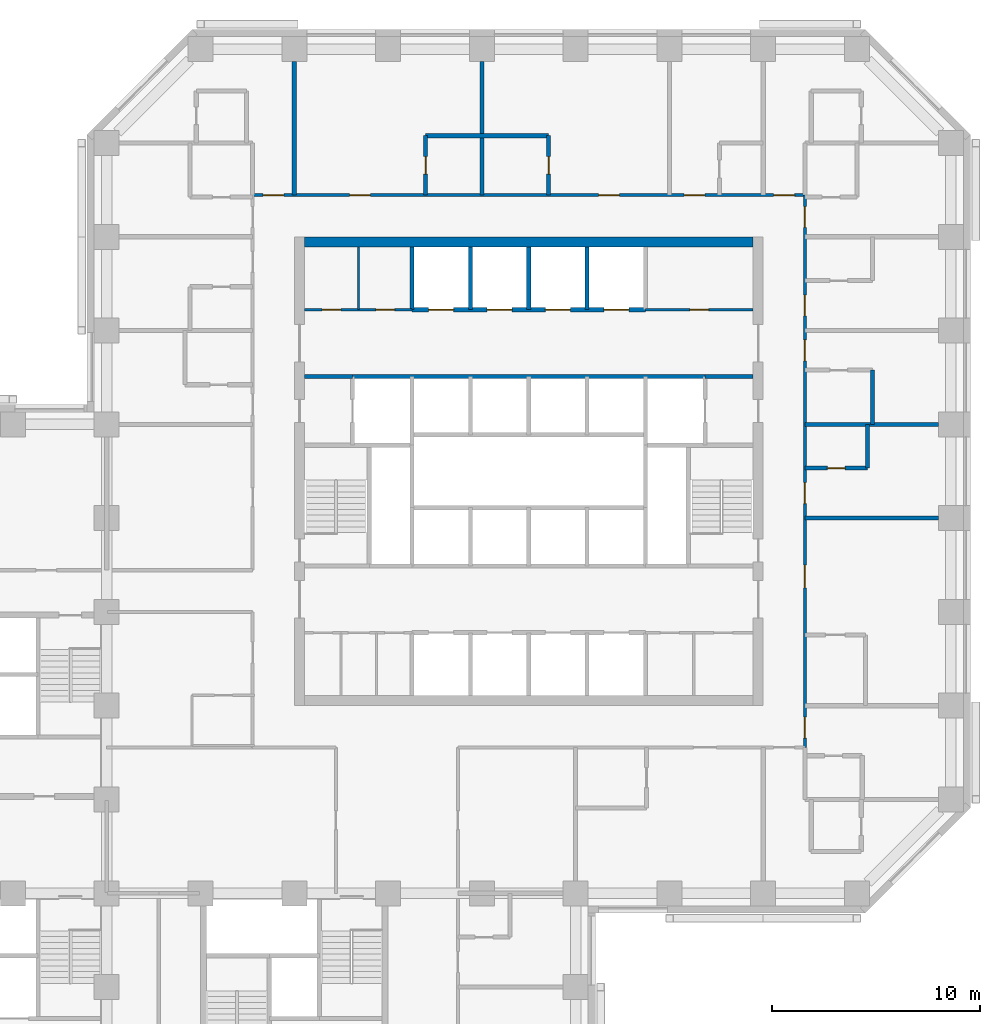
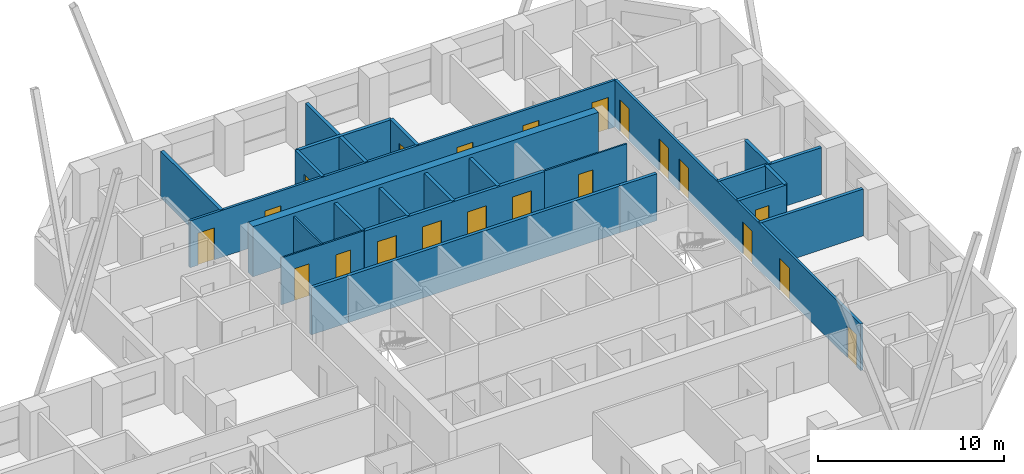
# One storey, part 10 of 13: 24 walls, 21 doors, 21 openings.
"""IFC4 building model written with IfcOpenShell, lengths in metres."""

from ifc_helpers import new_model, si_unit, direction, frame, frame_2d, origin, place, context, subcontext, project, spatial, rectangle, extrude, material, layer, layer_set, type_object, element, fill, save


model = new_model("IFC4")

# Units and contexts
model_context = context("Model", 3, precision=1e-05, world=origin(), true_north=direction((0.0, 1.0)))
body_context = subcontext(model_context, "Body", "Model", "MODEL_VIEW")
ifc_project = project(units=[si_unit("LENGTHUNIT", "METRE"), si_unit("AREAUNIT", "SQUARE_METRE"), si_unit("VOLUMEUNIT", "CUBIC_METRE"), si_unit("PLANEANGLEUNIT", "RADIAN"), si_unit("MASSUNIT", "GRAM", prefix="KILO")], contexts=[model_context])

# Site, building, storey
site_placement = place(None, origin())
site = spatial("IfcSite", under=ifc_project, at=site_placement, CompositionType="ELEMENT")
building_placement = place(site_placement, origin())
building = spatial("IfcBuilding", under=site, at=building_placement, Name="Quoin Convention Tower", CompositionType="ELEMENT")
storey_placement = place(building_placement, frame((0.0, 0.0, 52.800048828125)))
storey = spatial("IfcBuildingStorey", under=building, at=storey_placement, Name="L13", CompositionType="ELEMENT", Elevation=52.800048828125)

# Wall, openings, doors
ifc_material_1 = material(Name="Plasterboard")
ifc_layer_1 = layer(ifc_material_1, 0.012451171875, Name="Finish")
ifc_material_2 = material(Name="Steel stud framing", Category="steel")
ifc_layer_2 = layer(ifc_material_2, 0.074951171875, Name="Structure")
ifc_layer_3 = layer(ifc_material_1, 0.012451171875, Name="Finish")
ifc_layer_set_1 = layer_set([ifc_layer_1, ifc_layer_2, ifc_layer_3], Name="Steel stud framing")
wall_type_1 = type_object("IfcWallType", Name="Core partition wall", PredefinedType="PARTITIONING", material=ifc_layer_set_1)
wall_1_placement = place(storey_placement, frame((45.5, 68.5, 0.0), z_axis=(0.0, 0.0, 1.0), x_axis=(1.0, 0.0, 0.0)))
wall_1 = element("IfcWall", 1, at=wall_1_placement, inside=storey, type_object=wall_type_1, Name="cr-C1-L13-h19000_500", PredefinedType="PARTITIONING", context=body_context, shape_type="SweptSolid", body=[
    extrude(rectangle(XDim=5.14990234375, YDim=0.10009765625, at=frame_2d((2.574951171875, 0.0))), origin(), (0.0, 0.0, 1.0), 3.079833984375),
])
opening_1_placement = place(wall_1_placement, frame((0.83740234375, 0.0, 0.0)))
opening_1 = element("IfcOpeningElement", 2, at=opening_1_placement, cuts=wall_1, Name="Opening DCV5-18", PredefinedType="OPENING", context=body_context, shape_type="SweptSolid", body=[
    extrude(rectangle(XDim=0.89990234375, YDim=2.10009765625, at=frame_2d((0.449951171875, 1.050048828125))), frame((0.0, 0.06005859375, 0.0), z_axis=(0.0, -1.0, 0.0), x_axis=(1.0, 0.0, 0.0)), (0.0, 0.0, 1.0), 0.1201171875),
])
opening_2_placement = place(wall_1_placement, frame((3.41259765625, 0.0, 0.0)))
opening_2 = element("IfcOpeningElement", 3, at=opening_2_placement, cuts=wall_1, Name="Opening DCV5-19", PredefinedType="OPENING", context=body_context, shape_type="SweptSolid", body=[
    extrude(rectangle(XDim=0.89990234375, YDim=2.10009765625, at=frame_2d((0.449951171875, 1.050048828125))), frame((0.0, 0.06005859375, 0.0), z_axis=(0.0, -1.0, 0.0), x_axis=(1.0, 0.0, 0.0)), (0.0, 0.0, 1.0), 0.1201171875),
])
ifc_material_3 = material(Name="Steel door leaf", Category="steel")
door_type_1 = type_object("IfcDoorType", Name="Core room door 900 x 2100", OperationType="SINGLE_SWING_LEFT", PredefinedType="DOOR", material=ifc_material_3)
door_1_placement = place(opening_1_placement, origin())
door_1 = element("IfcDoor", 4, at=door_1_placement, inside=storey, type_object=door_type_1, Name="cd-C1-L13-CNW0-lobB-CD1308", OperationType="SINGLE_SWING_RIGHT", OverallHeight=2.10009765625, OverallWidth=0.89990234375, PredefinedType="DOOR", context=body_context, shape_type="SweptSolid", body=[
    extrude(rectangle(XDim=0.89990234375, YDim=2.10009765625, at=frame_2d((0.449951171875, 1.050048828125))), frame((0.0, 0.02490234375, 0.0), z_axis=(0.0, -1.0, 0.0), x_axis=(1.0, 0.0, 0.0)), (0.0, 0.0, 1.0), 0.050048828125),
])
fill(opening_1, door_1)
door_2_placement = place(opening_2_placement, origin())
door_2 = element("IfcDoor", 5, at=door_2_placement, inside=storey, type_object=door_type_1, Name="cd-C1-L13-CNW1-lobB-CD1309", OperationType="SINGLE_SWING_RIGHT", OverallHeight=2.10009765625, OverallWidth=0.89990234375, PredefinedType="DOOR", context=body_context, shape_type="SweptSolid", body=[
    extrude(rectangle(XDim=0.89990234375, YDim=2.10009765625, at=frame_2d((0.449951171875, 1.050048828125))), frame((0.0, 0.02490234375, 0.0), z_axis=(0.0, -1.0, 0.0), x_axis=(1.0, 0.0, 0.0)), (0.0, 0.0, 1.0), 0.050048828125),
])
fill(opening_2, door_2)

# Wall, opening, door
wall_2_placement = place(storey_placement, frame((61.85009765625, 68.5, 0.0), z_axis=(0.0, 0.0, 1.0), x_axis=(1.0, 0.0, 0.0)))
wall_2 = element("IfcWall", 6, at=wall_2_placement, inside=storey, type_object=wall_type_1, Name="cr-C1-L13-h19000_16850", PredefinedType="PARTITIONING", context=body_context, shape_type="SweptSolid", body=[
    extrude(rectangle(XDim=5.14990234375, YDim=0.10009765625, at=frame_2d((2.574951171875, 0.0))), origin(), (0.0, 0.0, 1.0), 3.079833984375),
])
opening_3_placement = place(wall_2_placement, frame((2.125, 0.0, 0.0)))
opening_3 = element("IfcOpeningElement", 7, at=opening_3_placement, cuts=wall_2, Name="Opening DCV5-01", PredefinedType="OPENING", context=body_context, shape_type="SweptSolid", body=[
    extrude(rectangle(XDim=0.89990234375, YDim=2.10009765625, at=frame_2d((0.449951171875, 1.050048828125))), frame((0.0, 0.06005859375, 0.0), z_axis=(0.0, -1.0, 0.0), x_axis=(1.0, 0.0, 0.0)), (0.0, 0.0, 1.0), 0.1201171875),
])
door_3_placement = place(opening_3_placement, origin())
door_3 = element("IfcDoor", 8, at=door_3_placement, inside=storey, type_object=door_type_1, Name="cd-C1-L13-CNE0-lobB-CD1307", OperationType="SINGLE_SWING_LEFT", OverallHeight=2.10009765625, OverallWidth=0.89990234375, PredefinedType="DOOR", context=body_context, shape_type="SweptSolid", body=[
    extrude(rectangle(XDim=0.89990234375, YDim=2.10009765625, at=frame_2d((0.449951171875, 1.050048828125))), frame((0.0, 0.02490234375, 0.0), z_axis=(0.0, -1.0, 0.0), x_axis=(1.0, 0.0, 0.0)), (0.0, 0.0, 1.0), 0.050048828125),
])
fill(opening_3, door_3)

# Walls
wall_3_placement = place(storey_placement, frame((48.074951171875, 68.5, 0.0), z_axis=(0.0, 0.0, 1.0), x_axis=(0.0, 1.0, 0.0)))
element("IfcWall", 9, at=wall_3_placement, inside=storey, type_object=wall_type_1, Name="cr-C1-L13-v3075_19000", PredefinedType="PARTITIONING", context=body_context, shape_type="SweptSolid", body=[
    extrude(rectangle(XDim=3.0, YDim=0.10009765625, at=frame_2d((1.5, 0.0))), origin(), (0.0, 0.0, 1.0), 3.079833984375),
])
ifc_material_4 = material(Name="Concrete C50", Category="concrete")
ifc_layer_4 = layer(ifc_material_4, 0.199951171875)
ifc_layer_set_2 = layer_set([ifc_layer_4], Name="Concrete C50")
wall_type_2 = type_object("IfcWallType", Name="Core shaft wall", PredefinedType="SOLIDWALL", material=ifc_layer_set_2)
for number, where, z_axis, x_axis, name in (
    (10, (45.5, 65.300048828125, 0.0), (0.0, 0.0, 1.0), (1.0, 0.0, 0.0), "cr-C1-L13-h15800_500"),
    (11, (64.699951171875, 65.300048828125, 0.0), (0.0, 0.0, 1.0), (1.0, 0.0, 0.0), "cr-C1-L13-h15800_19700"),
):
    element("IfcWall", number, at=place(storey_placement, frame(where, z_axis=z_axis, x_axis=x_axis)), inside=storey, type_object=wall_type_2, Name=name, PredefinedType="SOLIDWALL", context=body_context, shape_type="SweptSolid", body=[
        extrude(rectangle(XDim=2.300048828125, YDim=0.199951171875, at=frame_2d((1.14990234375, 0.0))), origin(), (0.0, 0.0, 1.0), 3.079833984375),
    ])
wall_4_placement = place(storey_placement, frame((47.800048828125, 65.300048828125, 0.0), z_axis=(0.0, 0.0, 1.0), x_axis=(1.0, 0.0, 0.0)))
element("IfcWall", 12, at=wall_4_placement, inside=storey, type_object=wall_type_2, Name="cr-C1-L13-h15800_2800", PredefinedType="SOLIDWALL", context=body_context, shape_type="SweptSolid", body=[
    extrude(rectangle(XDim=16.89990234375, YDim=0.199951171875, at=frame_2d((8.449951171875, 0.0))), origin(), (0.0, 0.0, 1.0), 3.079833984375),
])

# Wall, openings, doors
wall_5_placement = place(storey_placement, frame((50.64990234375, 68.5, 0.0), z_axis=(0.0, 0.0, 1.0), x_axis=(1.0, 0.0, 0.0)))
wall_5 = element("IfcWall", 13, at=wall_5_placement, inside=storey, type_object=wall_type_2, Name="cr-C1-L13-h19000_5650", PredefinedType="SOLIDWALL", context=body_context, shape_type="SweptSolid", body=[
    extrude(rectangle(XDim=11.2001953125, YDim=0.199951171875, at=frame_2d((5.60009765625, 0.0))), origin(), (0.0, 0.0, 1.0), 3.079833984375),
])
opening_4_placement = place(wall_5_placement, frame((0.800048828125, 0.0, 0.0)))
opening_4 = element("IfcOpeningElement", 14, at=opening_4_placement, cuts=wall_5, Name="Opening LDL5", PredefinedType="OPENING", context=body_context, shape_type="SweptSolid", body=[
    extrude(rectangle(XDim=1.199951171875, YDim=2.10009765625, at=frame_2d((0.60009765625, 1.050048828125))), frame((0.0, 0.10986328125, 0.0), z_axis=(0.0, -1.0, 0.0), x_axis=(1.0, 0.0, 0.0)), (0.0, 0.0, 1.0), 0.219970703125),
])
opening_5_placement = place(wall_5_placement, frame((3.60009765625, 0.0, 0.0)))
opening_5 = element("IfcOpeningElement", 15, at=opening_5_placement, cuts=wall_5, Name="Opening LDL6", PredefinedType="OPENING", context=body_context, shape_type="SweptSolid", body=[
    extrude(rectangle(XDim=1.199951171875, YDim=2.10009765625, at=frame_2d((0.60009765625, 1.050048828125))), frame((0.0, 0.10986328125, 0.0), z_axis=(0.0, -1.0, 0.0), x_axis=(1.0, 0.0, 0.0)), (0.0, 0.0, 1.0), 0.219970703125),
])
opening_6_placement = place(wall_5_placement, frame((6.39990234375, 0.0, 0.0)))
opening_6 = element("IfcOpeningElement", 16, at=opening_6_placement, cuts=wall_5, Name="Opening LDL7", PredefinedType="OPENING", context=body_context, shape_type="SweptSolid", body=[
    extrude(rectangle(XDim=1.199951171875, YDim=2.10009765625, at=frame_2d((0.60009765625, 1.050048828125))), frame((0.0, 0.10986328125, 0.0), z_axis=(0.0, -1.0, 0.0), x_axis=(1.0, 0.0, 0.0)), (0.0, 0.0, 1.0), 0.219970703125),
])
opening_7_placement = place(wall_5_placement, frame((9.199951171875, 0.0, 0.0)))
opening_7 = element("IfcOpeningElement", 17, at=opening_7_placement, cuts=wall_5, Name="Opening LDL8", PredefinedType="OPENING", context=body_context, shape_type="SweptSolid", body=[
    extrude(rectangle(XDim=1.199951171875, YDim=2.10009765625, at=frame_2d((0.60009765625, 1.050048828125))), frame((0.0, 0.10986328125, 0.0), z_axis=(0.0, -1.0, 0.0), x_axis=(1.0, 0.0, 0.0)), (0.0, 0.0, 1.0), 0.219970703125),
])
door_type_2 = type_object("IfcDoorType", Name="Lift landing door 1200 x 2100", OperationType="DOUBLE_DOOR_SLIDING", PredefinedType="DOOR", material=ifc_material_3)
door_4_placement = place(opening_4_placement, origin())
door_4 = element("IfcDoor", 18, at=door_4_placement, inside=storey, type_object=door_type_2, Name="cd-C1-L13-R40-lobB-LDL5", OperationType="DOUBLE_DOOR_SLIDING", OverallHeight=2.10009765625, OverallWidth=1.199951171875, PredefinedType="DOOR", context=body_context, shape_type="SweptSolid", body=[
    extrude(rectangle(XDim=1.199951171875, YDim=2.10009765625, at=frame_2d((0.60009765625, 1.050048828125))), frame((0.0, 0.02490234375, 0.0), z_axis=(0.0, -1.0, 0.0), x_axis=(1.0, 0.0, 0.0)), (0.0, 0.0, 1.0), 0.050048828125),
])
fill(opening_4, door_4)
door_5_placement = place(opening_5_placement, origin())
door_5 = element("IfcDoor", 19, at=door_5_placement, inside=storey, type_object=door_type_2, Name="cd-C1-L13-R41-lobB-LDL6", OperationType="DOUBLE_DOOR_SLIDING", OverallHeight=2.10009765625, OverallWidth=1.199951171875, PredefinedType="DOOR", context=body_context, shape_type="SweptSolid", body=[
    extrude(rectangle(XDim=1.199951171875, YDim=2.10009765625, at=frame_2d((0.60009765625, 1.050048828125))), frame((0.0, 0.02490234375, 0.0), z_axis=(0.0, -1.0, 0.0), x_axis=(1.0, 0.0, 0.0)), (0.0, 0.0, 1.0), 0.050048828125),
])
fill(opening_5, door_5)
door_6_placement = place(opening_6_placement, origin())
door_6 = element("IfcDoor", 20, at=door_6_placement, inside=storey, type_object=door_type_2, Name="cd-C1-L13-R42-lobB-LDL7", OperationType="DOUBLE_DOOR_SLIDING", OverallHeight=2.10009765625, OverallWidth=1.199951171875, PredefinedType="DOOR", context=body_context, shape_type="SweptSolid", body=[
    extrude(rectangle(XDim=1.199951171875, YDim=2.10009765625, at=frame_2d((0.60009765625, 1.050048828125))), frame((0.0, 0.02490234375, 0.0), z_axis=(0.0, -1.0, 0.0), x_axis=(1.0, 0.0, 0.0)), (0.0, 0.0, 1.0), 0.050048828125),
])
fill(opening_6, door_6)
door_7_placement = place(opening_7_placement, origin())
door_7 = element("IfcDoor", 21, at=door_7_placement, inside=storey, type_object=door_type_2, Name="cd-C1-L13-R43-lobB-LDL8", OperationType="DOUBLE_DOOR_SLIDING", OverallHeight=2.10009765625, OverallWidth=1.199951171875, PredefinedType="DOOR", context=body_context, shape_type="SweptSolid", body=[
    extrude(rectangle(XDim=1.199951171875, YDim=2.10009765625, at=frame_2d((0.60009765625, 1.050048828125))), frame((0.0, 0.02490234375, 0.0), z_axis=(0.0, -1.0, 0.0), x_axis=(1.0, 0.0, 0.0)), (0.0, 0.0, 1.0), 0.050048828125),
])
fill(opening_7, door_7)

# Walls
for number, where, z_axis, x_axis, name in (
    (22, (50.64990234375, 68.5, 0.0), (0.0, 0.0, 1.0), (0.0, 1.0, 0.0), "cr-C1-L13-v5650_19000"),
    (23, (53.449951171875, 68.5, 0.0), (0.0, 0.0, 1.0), (0.0, 1.0, 0.0), "cr-C1-L13-v8450_19000"),
    (24, (56.25, 68.5, 0.0), (0.0, 0.0, 1.0), (0.0, 1.0, 0.0), "cr-C1-L13-v11250_19000"),
    (25, (59.050048828125, 68.5, 0.0), (0.0, 0.0, 1.0), (0.0, 1.0, 0.0), "cr-C1-L13-v14050_19000"),
):
    element("IfcWall", number, at=place(storey_placement, frame(where, z_axis=z_axis, x_axis=x_axis)), inside=storey, type_object=wall_type_2, Name=name, PredefinedType="SOLIDWALL", context=body_context, shape_type="SweptSolid", body=[
        extrude(rectangle(XDim=3.0, YDim=0.199951171875, at=frame_2d((1.5, 0.0))), origin(), (0.0, 0.0, 1.0), 3.079833984375),
    ])
ifc_material_5 = material(Name="Concrete C80", Category="concrete")
ifc_layer_5 = layer(ifc_material_5, 0.5)
ifc_layer_set_3 = layer_set([ifc_layer_5], Name="Concrete C80")
wall_type_3 = type_object("IfcWallType", Name="RC CORE WALL 500 C80", PredefinedType="SHEAR", material=ifc_layer_set_3)
wall_6_placement = place(storey_placement, frame((45.5, 71.75, 0.0), z_axis=(0.0, 0.0, 1.0), x_axis=(1.0, 0.0, 0.0)))
element("IfcWall", 26, at=wall_6_placement, inside=storey, type_object=wall_type_3, Name="cwl-C1-L13-N", PredefinedType="SHEAR", context=body_context, shape_type="SweptSolid", body=[
    extrude(rectangle(XDim=21.5, YDim=0.5, at=frame_2d((10.75, 0.0))), origin(), (0.0, 0.0, 1.0), 3.300048828125),
])
ifc_layer_6 = layer(ifc_material_4, 0.199951171875)
ifc_layer_set_4 = layer_set([ifc_layer_6], Name="Concrete C50")
wall_type_4 = type_object("IfcWallType", Name="RC party wall", PredefinedType="SOLIDWALL", material=ifc_layer_set_4)
wall_7_placement = place(storey_placement, frame((69.5, 58.5, 0.0), z_axis=(0.0, 0.0, 1.0), x_axis=(1.0, 0.0, 0.0)))
element("IfcWall", 27, at=wall_7_placement, inside=storey, type_object=wall_type_4, Name="pw-L13-102", PredefinedType="SOLIDWALL", context=body_context, shape_type="SweptSolid", body=[
    extrude(rectangle(XDim=6.39990234375, YDim=0.199951171875, at=frame_2d((3.199951171875, 0.0))), origin(), (0.0, 0.0, 1.0), 3.079833984375),
])

# Wall, opening, door
wall_8_placement = place(storey_placement, frame((69.5, 60.89990234375, 0.0), z_axis=(0.0, 0.0, 1.0), x_axis=(1.0, 0.0, 0.0)))
wall_8 = element("IfcWall", 28, at=wall_8_placement, inside=storey, type_object=wall_type_4, Name="pw-L13-105", PredefinedType="SOLIDWALL", context=body_context, shape_type="SweptSolid", body=[
    extrude(rectangle(XDim=3.0, YDim=0.199951171875, at=frame_2d((1.5, 0.0))), origin(), (0.0, 0.0, 1.0), 3.079833984375),
])
opening_8_placement = place(wall_8_placement, frame((1.074951171875, 0.0, 0.0)))
opening_8 = element("IfcOpeningElement", 29, at=opening_8_placement, cuts=wall_8, Name="Opening DHOTEL-B-61", PredefinedType="OPENING", context=body_context, shape_type="SweptSolid", body=[
    extrude(rectangle(XDim=0.85009765625, YDim=2.10009765625, at=frame_2d((0.425048828125, 1.050048828125))), frame((0.0, 0.10986328125, 0.0), z_axis=(0.0, -1.0, 0.0), x_axis=(1.0, 0.0, 0.0)), (0.0, 0.0, 1.0), 0.219970703125),
])
door_type_3 = type_object("IfcDoorType", Name="Bathroom door", OperationType="SINGLE_SWING_LEFT", PredefinedType="DOOR", material=ifc_material_3)
door_8_placement = place(opening_8_placement, frame((0.85009765625, 0.0, 0.0), z_axis=(0.0, 0.0, 1.0), x_axis=(-1.0, 0.0, 0.0)))
door_8 = element("IfcDoor", 30, at=door_8_placement, inside=storey, type_object=door_type_3, Name="dr-L13-050", OperationType="SINGLE_SWING_RIGHT", OverallHeight=2.10009765625, OverallWidth=0.85009765625, PredefinedType="DOOR", context=body_context, shape_type="SweptSolid", body=[
    extrude(rectangle(XDim=0.85009765625, YDim=2.10009765625, at=frame_2d((0.425048828125, 1.050048828125))), frame((0.0, 0.02490234375, 0.0), z_axis=(0.0, -1.0, 0.0), x_axis=(1.0, 0.0, 0.0)), (0.0, 0.0, 1.0), 0.050048828125),
])
fill(opening_8, door_8)

# Walls
wall_9_placement = place(storey_placement, frame((72.5, 60.89990234375, 0.0), z_axis=(0.0, 0.0, 1.0), x_axis=(0.0, 1.0, 0.0)))
element("IfcWall", 31, at=wall_9_placement, inside=storey, type_object=wall_type_4, Name="pw-L13-106", PredefinedType="SOLIDWALL", context=body_context, shape_type="SweptSolid", body=[
    extrude(rectangle(XDim=2.10009765625, YDim=0.199951171875, at=frame_2d((1.050048828125, 0.0))), origin(), (0.0, 0.0, 1.0), 3.079833984375),
])
wall_10_placement = place(storey_placement, frame((69.5, 63.0, 0.0), z_axis=(0.0, 0.0, 1.0), x_axis=(1.0, 0.0, 0.0)))
element("IfcWall", 32, at=wall_10_placement, inside=storey, type_object=wall_type_4, Name="pw-L13-108", PredefinedType="SOLIDWALL", context=body_context, shape_type="SweptSolid", body=[
    extrude(rectangle(XDim=6.39990234375, YDim=0.199951171875, at=frame_2d((3.199951171875, 0.0))), origin(), (0.0, 0.0, 1.0), 3.079833984375),
])
wall_11_placement = place(storey_placement, frame((72.75, 63.0, 0.0), z_axis=(0.0, 0.0, 1.0), x_axis=(0.0, 1.0, 0.0)))
element("IfcWall", 33, at=wall_11_placement, inside=storey, type_object=wall_type_4, Name="pw-L13-109", PredefinedType="SOLIDWALL", context=body_context, shape_type="SweptSolid", body=[
    extrude(rectangle(XDim=2.60009765625, YDim=0.199951171875, at=frame_2d((1.300048828125, 0.0))), origin(), (0.0, 0.0, 1.0), 3.079833984375),
])
wall_12_placement = place(storey_placement, frame((45.0, 74.0, 0.0), z_axis=(0.0, 0.0, 1.0), x_axis=(0.0, 1.0, 0.0)))
element("IfcWall", 34, at=wall_12_placement, inside=storey, type_object=wall_type_4, Name="pw-L13-126", PredefinedType="SOLIDWALL", context=body_context, shape_type="SweptSolid", body=[
    extrude(rectangle(XDim=6.39990234375, YDim=0.199951171875, at=frame_2d((3.199951171875, 0.0))), origin(), (0.0, 0.0, 1.0), 3.079833984375),
])

# Wall, opening, door
wall_13_placement = place(storey_placement, frame((51.300048828125, 74.0, 0.0), z_axis=(0.0, 0.0, 1.0), x_axis=(0.0, 1.0, 0.0)))
wall_13 = element("IfcWall", 35, at=wall_13_placement, inside=storey, type_object=wall_type_4, Name="pw-L13-127", PredefinedType="SOLIDWALL", context=body_context, shape_type="SweptSolid", body=[
    extrude(rectangle(XDim=2.85009765625, YDim=0.199951171875, at=frame_2d((1.425048828125, 0.0))), origin(), (0.0, 0.0, 1.0), 3.079833984375),
])
opening_9_placement = place(wall_13_placement, frame((1.0, 0.0, 0.0)))
opening_9 = element("IfcOpeningElement", 36, at=opening_9_placement, cuts=wall_13, Name="Opening DHOTEL-B-68", PredefinedType="OPENING", context=body_context, shape_type="SweptSolid", body=[
    extrude(rectangle(XDim=0.85009765625, YDim=2.10009765625, at=frame_2d((0.425048828125, 1.050048828125))), frame((0.0, 0.10986328125, 0.0), z_axis=(0.0, -1.0, 0.0), x_axis=(1.0, 0.0, 0.0)), (0.0, 0.0, 1.0), 0.219970703125),
])
door_9_placement = place(opening_9_placement, origin())
door_9 = element("IfcDoor", 37, at=door_9_placement, inside=storey, type_object=door_type_3, Name="dr-L13-038", OperationType="SINGLE_SWING_LEFT", OverallHeight=2.10009765625, OverallWidth=0.85009765625, PredefinedType="DOOR", context=body_context, shape_type="SweptSolid", body=[
    extrude(rectangle(XDim=0.85009765625, YDim=2.10009765625, at=frame_2d((0.425048828125, 1.050048828125))), frame((0.0, 0.02490234375, 0.0), z_axis=(0.0, -1.0, 0.0), x_axis=(1.0, 0.0, 0.0)), (0.0, 0.0, 1.0), 0.050048828125),
])
fill(opening_9, door_9)

# Wall
wall_14_placement = place(storey_placement, frame((54.0, 74.0, 0.0), z_axis=(0.0, 0.0, 1.0), x_axis=(0.0, 1.0, 0.0)))
element("IfcWall", 38, at=wall_14_placement, inside=storey, type_object=wall_type_4, Name="pw-L13-128", PredefinedType="SOLIDWALL", context=body_context, shape_type="SweptSolid", body=[
    extrude(rectangle(XDim=6.39990234375, YDim=0.199951171875, at=frame_2d((3.199951171875, 0.0))), origin(), (0.0, 0.0, 1.0), 3.079833984375),
])

# Wall, opening, door
wall_15_placement = place(storey_placement, frame((57.199951171875, 74.0, 0.0), z_axis=(0.0, 0.0, 1.0), x_axis=(0.0, 1.0, 0.0)))
wall_15 = element("IfcWall", 39, at=wall_15_placement, inside=storey, type_object=wall_type_4, Name="pw-L13-129", PredefinedType="SOLIDWALL", context=body_context, shape_type="SweptSolid", body=[
    extrude(rectangle(XDim=2.85009765625, YDim=0.199951171875, at=frame_2d((1.425048828125, 0.0))), origin(), (0.0, 0.0, 1.0), 3.079833984375),
])
opening_10_placement = place(wall_15_placement, frame((1.0, 0.0, 0.0)))
opening_10 = element("IfcOpeningElement", 40, at=opening_10_placement, cuts=wall_15, Name="Opening DHOTEL-B-69", PredefinedType="OPENING", context=body_context, shape_type="SweptSolid", body=[
    extrude(rectangle(XDim=0.85009765625, YDim=2.10009765625, at=frame_2d((0.425048828125, 1.050048828125))), frame((0.0, 0.10986328125, 0.0), z_axis=(0.0, -1.0, 0.0), x_axis=(1.0, 0.0, 0.0)), (0.0, 0.0, 1.0), 0.219970703125),
])
door_10_placement = place(opening_10_placement, frame((0.85009765625, 0.0, 0.0), z_axis=(0.0, 0.0, 1.0), x_axis=(-1.0, 0.0, 0.0)))
door_10 = element("IfcDoor", 41, at=door_10_placement, inside=storey, type_object=door_type_3, Name="dr-L13-040", OperationType="SINGLE_SWING_RIGHT", OverallHeight=2.10009765625, OverallWidth=0.85009765625, PredefinedType="DOOR", context=body_context, shape_type="SweptSolid", body=[
    extrude(rectangle(XDim=0.85009765625, YDim=2.10009765625, at=frame_2d((0.425048828125, 1.050048828125))), frame((0.0, 0.02490234375, 0.0), z_axis=(0.0, -1.0, 0.0), x_axis=(1.0, 0.0, 0.0)), (0.0, 0.0, 1.0), 0.050048828125),
])
fill(opening_10, door_10)

# Wall
wall_16_placement = place(storey_placement, frame((51.300048828125, 76.85009765625, 0.0), z_axis=(0.0, 0.0, 1.0), x_axis=(1.0, 0.0, 0.0)))
element("IfcWall", 42, at=wall_16_placement, inside=storey, type_object=wall_type_4, Name="pw-L13-141", PredefinedType="SOLIDWALL", context=body_context, shape_type="SweptSolid", body=[
    extrude(rectangle(XDim=5.89990234375, YDim=0.199951171875, at=frame_2d((2.949951171875, 0.0))), origin(), (0.0, 0.0, 1.0), 3.079833984375),
])

# Wall, openings, doors
ifc_layer_7 = layer(ifc_material_1, 0.012451171875, Name="Finish")
ifc_layer_8 = layer(ifc_material_2, 0.125, Name="Structure")
ifc_layer_9 = layer(ifc_material_1, 0.012451171875, Name="Finish")
ifc_layer_set_5 = layer_set([ifc_layer_7, ifc_layer_8, ifc_layer_9], Name="Steel stud framing")
wall_type_5 = type_object("IfcWallType", Name="corridor partition", PredefinedType="PARTITIONING", material=ifc_layer_set_5)
wall_17_placement = place(storey_placement, frame((69.5, 47.5, 0.0), z_axis=(0.0, 0.0, 1.0), x_axis=(0.0, 1.0, 0.0)))
wall_17 = element("IfcWall", 43, at=wall_17_placement, inside=storey, type_object=wall_type_5, Name="pw-L13-031", PredefinedType="PARTITIONING", context=body_context, shape_type="SweptSolid", body=[
    extrude(rectangle(XDim=26.5, YDim=0.14990234375, at=frame_2d((13.25, 0.0))), origin(), (0.0, 0.0, 1.0), 3.079833984375),
])
opening_11_placement = place(wall_17_placement, frame((24.949951171875, 0.0, 0.0)))
opening_11 = element("IfcOpeningElement", 44, at=opening_11_placement, cuts=wall_17, Name="Opening DHOTEL-B-31", PredefinedType="OPENING", context=body_context, shape_type="SweptSolid", body=[
    extrude(rectangle(XDim=1.0, YDim=2.10009765625, at=frame_2d((0.5, 1.050048828125))), frame((0.0, 0.0849609375, 0.0), z_axis=(0.0, -1.0, 0.0), x_axis=(1.0, 0.0, 0.0)), (0.0, 0.0, 1.0), 0.169921875),
])
opening_12_placement = place(wall_17_placement, frame((20.699951171875, 0.0, 0.0)))
opening_12 = element("IfcOpeningElement", 45, at=opening_12_placement, cuts=wall_17, Name="Opening DHOTEL-B-30", PredefinedType="OPENING", context=body_context, shape_type="SweptSolid", body=[
    extrude(rectangle(XDim=1.0, YDim=2.10009765625, at=frame_2d((0.5, 1.050048828125))), frame((0.0, 0.0849609375, 0.0), z_axis=(0.0, -1.0, 0.0), x_axis=(1.0, 0.0, 0.0)), (0.0, 0.0, 1.0), 0.169921875),
])
opening_13_placement = place(wall_17_placement, frame((18.550048828125, 0.0, 0.0)))
opening_13 = element("IfcOpeningElement", 46, at=opening_13_placement, cuts=wall_17, Name="Opening DHOTEL-B-29", PredefinedType="OPENING", context=body_context, shape_type="SweptSolid", body=[
    extrude(rectangle(XDim=1.0, YDim=2.10009765625, at=frame_2d((0.5, 1.050048828125))), frame((0.0, 0.0849609375, 0.0), z_axis=(0.0, -1.0, 0.0), x_axis=(1.0, 0.0, 0.0)), (0.0, 0.0, 1.0), 0.169921875),
])
opening_14_placement = place(wall_17_placement, frame((11.699951171875, 0.0, 0.0)))
opening_14 = element("IfcOpeningElement", 47, at=opening_14_placement, cuts=wall_17, Name="Opening DHOTEL-B-28", PredefinedType="OPENING", context=body_context, shape_type="SweptSolid", body=[
    extrude(rectangle(XDim=1.0, YDim=2.10009765625, at=frame_2d((0.5, 1.050048828125))), frame((0.0, 0.0849609375, 0.0), z_axis=(0.0, -1.0, 0.0), x_axis=(1.0, 0.0, 0.0)), (0.0, 0.0, 1.0), 0.169921875),
])
opening_15_placement = place(wall_17_placement, frame((7.64990234375, 0.0, 0.0)))
opening_15 = element("IfcOpeningElement", 48, at=opening_15_placement, cuts=wall_17, Name="Opening DHOTEL-B-27", PredefinedType="OPENING", context=body_context, shape_type="SweptSolid", body=[
    extrude(rectangle(XDim=1.10009765625, YDim=2.10009765625, at=frame_2d((0.550048828125, 1.050048828125))), frame((0.0, 0.0849609375, 0.0), z_axis=(0.0, -1.0, 0.0), x_axis=(1.0, 0.0, 0.0)), (0.0, 0.0, 1.0), 0.169921875),
])
opening_16_placement = place(wall_17_placement, frame((0.447021484375, 0.0, 0.0)))
opening_16 = element("IfcOpeningElement", 49, at=opening_16_placement, cuts=wall_17, Name="Opening DHOTEL-B-26", PredefinedType="OPENING", context=body_context, shape_type="SweptSolid", body=[
    extrude(rectangle(XDim=1.0, YDim=2.10009765625, at=frame_2d((0.5, 1.050048828125))), frame((0.0, 0.0849609375, 0.0), z_axis=(0.0, -1.0, 0.0), x_axis=(1.0, 0.0, 0.0)), (0.0, 0.0, 1.0), 0.169921875),
])
door_type_4 = type_object("IfcDoorType", Name="Accessible room door", OperationType="SINGLE_SWING_LEFT", PredefinedType="DOOR", material=ifc_material_3)
door_11_placement = place(opening_15_placement, frame((1.10009765625, 0.0, 0.0), z_axis=(0.0, 0.0, 1.0), x_axis=(-1.0, 0.0, 0.0)))
door_11 = element("IfcDoor", 50, at=door_11_placement, inside=storey, type_object=door_type_4, Name="dr-L13-051", OperationType="SINGLE_SWING_LEFT", OverallHeight=2.10009765625, OverallWidth=1.10009765625, PredefinedType="DOOR", context=body_context, shape_type="SweptSolid", body=[
    extrude(rectangle(XDim=1.10009765625, YDim=2.10009765625, at=frame_2d((0.550048828125, 1.050048828125))), frame((0.0, 0.02490234375, 0.0), z_axis=(0.0, -1.0, 0.0), x_axis=(1.0, 0.0, 0.0)), (0.0, 0.0, 1.0), 0.050048828125),
])
fill(opening_15, door_11)
door_type_5 = type_object("IfcDoorType", Name="Hotel room door", OperationType="SINGLE_SWING_LEFT", PredefinedType="DOOR", material=ifc_material_3)
door_12_placement = place(opening_11_placement, frame((1.0, 0.0, 0.0), z_axis=(0.0, 0.0, 1.0), x_axis=(-1.0, 0.0, 0.0)))
door_12 = element("IfcDoor", 51, at=door_12_placement, inside=storey, type_object=door_type_5, Name="dr-L13-043", OperationType="SINGLE_SWING_LEFT", OverallHeight=2.10009765625, OverallWidth=1.0, PredefinedType="DOOR", context=body_context, shape_type="SweptSolid", body=[
    extrude(rectangle(XDim=1.0, YDim=2.10009765625, at=frame_2d((0.5, 1.050048828125))), frame((0.0, 0.02490234375, 0.0), z_axis=(0.0, -1.0, 0.0), x_axis=(1.0, 0.0, 0.0)), (0.0, 0.0, 1.0), 0.050048828125),
])
fill(opening_11, door_12)
door_13_placement = place(opening_12_placement, frame((1.0, 0.0, 0.0), z_axis=(0.0, 0.0, 1.0), x_axis=(-1.0, 0.0, 0.0)))
door_13 = element("IfcDoor", 52, at=door_13_placement, inside=storey, type_object=door_type_5, Name="dr-L13-045", OperationType="SINGLE_SWING_LEFT", OverallHeight=2.10009765625, OverallWidth=1.0, PredefinedType="DOOR", context=body_context, shape_type="SweptSolid", body=[
    extrude(rectangle(XDim=1.0, YDim=2.10009765625, at=frame_2d((0.5, 1.050048828125))), frame((0.0, 0.02490234375, 0.0), z_axis=(0.0, -1.0, 0.0), x_axis=(1.0, 0.0, 0.0)), (0.0, 0.0, 1.0), 0.050048828125),
])
fill(opening_12, door_13)
door_14_placement = place(opening_13_placement, frame((1.0, 0.0, 0.0), z_axis=(0.0, 0.0, 1.0), x_axis=(-1.0, 0.0, 0.0)))
door_14 = element("IfcDoor", 53, at=door_14_placement, inside=storey, type_object=door_type_5, Name="dr-L13-047", OperationType="SINGLE_SWING_LEFT", OverallHeight=2.10009765625, OverallWidth=1.0, PredefinedType="DOOR", context=body_context, shape_type="SweptSolid", body=[
    extrude(rectangle(XDim=1.0, YDim=2.10009765625, at=frame_2d((0.5, 1.050048828125))), frame((0.0, 0.02490234375, 0.0), z_axis=(0.0, -1.0, 0.0), x_axis=(1.0, 0.0, 0.0)), (0.0, 0.0, 1.0), 0.050048828125),
])
fill(opening_13, door_14)
door_15_placement = place(opening_14_placement, frame((1.0, 0.0, 0.0), z_axis=(0.0, 0.0, 1.0), x_axis=(-1.0, 0.0, 0.0)))
door_15 = element("IfcDoor", 54, at=door_15_placement, inside=storey, type_object=door_type_5, Name="dr-L13-049", OperationType="SINGLE_SWING_LEFT", OverallHeight=2.10009765625, OverallWidth=1.0, PredefinedType="DOOR", context=body_context, shape_type="SweptSolid", body=[
    extrude(rectangle(XDim=1.0, YDim=2.10009765625, at=frame_2d((0.5, 1.050048828125))), frame((0.0, 0.02490234375, 0.0), z_axis=(0.0, -1.0, 0.0), x_axis=(1.0, 0.0, 0.0)), (0.0, 0.0, 1.0), 0.050048828125),
])
fill(opening_14, door_15)
door_16_placement = place(opening_16_placement, frame((1.0, 0.0, 0.0), z_axis=(0.0, 0.0, 1.0), x_axis=(-1.0, 0.0, 0.0)))
door_16 = element("IfcDoor", 55, at=door_16_placement, inside=storey, type_object=door_type_5, Name="dr-L13-053", OperationType="SINGLE_SWING_LEFT", OverallHeight=2.10009765625, OverallWidth=1.0, PredefinedType="DOOR", context=body_context, shape_type="SweptSolid", body=[
    extrude(rectangle(XDim=1.0, YDim=2.10009765625, at=frame_2d((0.5, 1.050048828125))), frame((0.0, 0.02490234375, 0.0), z_axis=(0.0, -1.0, 0.0), x_axis=(1.0, 0.0, 0.0)), (0.0, 0.0, 1.0), 0.050048828125),
])
fill(opening_16, door_16)

wall_18_placement = place(storey_placement, frame((43.0, 74.0, 0.0), z_axis=(0.0, 0.0, 1.0), x_axis=(1.0, 0.0, 0.0)))
wall_18 = element("IfcWall", 56, at=wall_18_placement, inside=storey, type_object=wall_type_5, Name="pw-L13-036", PredefinedType="PARTITIONING", context=body_context, shape_type="SweptSolid", body=[
    extrude(rectangle(XDim=26.5, YDim=0.14990234375, at=frame_2d((13.25, 0.0))), origin(), (0.0, 0.0, 1.0), 3.079833984375),
])
opening_17_placement = place(wall_18_placement, frame((4.64990234375, 0.0, 0.0)))
opening_17 = element("IfcOpeningElement", 57, at=opening_17_placement, cuts=wall_18, Name="Opening DHOTEL-B-38", PredefinedType="OPENING", context=body_context, shape_type="SweptSolid", body=[
    extrude(rectangle(XDim=1.0, YDim=2.10009765625, at=frame_2d((0.5, 1.050048828125))), frame((0.0, 0.0849609375, 0.0), z_axis=(0.0, -1.0, 0.0), x_axis=(1.0, 0.0, 0.0)), (0.0, 0.0, 1.0), 0.169921875),
])
opening_18_placement = place(wall_18_placement, frame((16.60009765625, 0.0, 0.0)))
opening_18 = element("IfcOpeningElement", 58, at=opening_18_placement, cuts=wall_18, Name="Opening DHOTEL-B-39", PredefinedType="OPENING", context=body_context, shape_type="SweptSolid", body=[
    extrude(rectangle(XDim=1.0, YDim=2.10009765625, at=frame_2d((0.5, 1.050048828125))), frame((0.0, 0.0849609375, 0.0), z_axis=(0.0, -1.0, 0.0), x_axis=(1.0, 0.0, 0.0)), (0.0, 0.0, 1.0), 0.169921875),
])
opening_19_placement = place(wall_18_placement, frame((20.699951171875, 0.0, 0.0)))
opening_19 = element("IfcOpeningElement", 59, at=opening_19_placement, cuts=wall_18, Name="Opening DHOTEL-B-40", PredefinedType="OPENING", context=body_context, shape_type="SweptSolid", body=[
    extrude(rectangle(XDim=1.0, YDim=2.10009765625, at=frame_2d((0.5, 1.050048828125))), frame((0.0, 0.0849609375, 0.0), z_axis=(0.0, -1.0, 0.0), x_axis=(1.0, 0.0, 0.0)), (0.0, 0.0, 1.0), 0.169921875),
])
opening_20_placement = place(wall_18_placement, frame((0.5, 0.0, 0.0)))
opening_20 = element("IfcOpeningElement", 60, at=opening_20_placement, cuts=wall_18, Name="Opening DHOTEL-B-37", PredefinedType="OPENING", context=body_context, shape_type="SweptSolid", body=[
    extrude(rectangle(XDim=1.0, YDim=2.10009765625, at=frame_2d((0.5, 1.050048828125))), frame((0.0, 0.0849609375, 0.0), z_axis=(0.0, -1.0, 0.0), x_axis=(1.0, 0.0, 0.0)), (0.0, 0.0, 1.0), 0.169921875),
])
opening_21_placement = place(wall_18_placement, frame((25.0, 0.0, 0.0)))
opening_21 = element("IfcOpeningElement", 61, at=opening_21_placement, cuts=wall_18, Name="Opening DHOTEL-B-41", PredefinedType="OPENING", context=body_context, shape_type="SweptSolid", body=[
    extrude(rectangle(XDim=1.0, YDim=2.10009765625, at=frame_2d((0.5, 1.050048828125))), frame((0.0, 0.0849609375, 0.0), z_axis=(0.0, -1.0, 0.0), x_axis=(1.0, 0.0, 0.0)), (0.0, 0.0, 1.0), 0.169921875),
])
door_17_placement = place(opening_17_placement, origin())
door_17 = element("IfcDoor", 62, at=door_17_placement, inside=storey, type_object=door_type_5, Name="dr-L13-037", OperationType="SINGLE_SWING_RIGHT", OverallHeight=2.10009765625, OverallWidth=1.0, PredefinedType="DOOR", context=body_context, shape_type="SweptSolid", body=[
    extrude(rectangle(XDim=1.0, YDim=2.10009765625, at=frame_2d((0.5, 1.050048828125))), frame((0.0, 0.02490234375, 0.0), z_axis=(0.0, -1.0, 0.0), x_axis=(1.0, 0.0, 0.0)), (0.0, 0.0, 1.0), 0.050048828125),
])
fill(opening_17, door_17)
door_18_placement = place(opening_18_placement, origin())
door_18 = element("IfcDoor", 63, at=door_18_placement, inside=storey, type_object=door_type_5, Name="dr-L13-039", OperationType="SINGLE_SWING_RIGHT", OverallHeight=2.10009765625, OverallWidth=1.0, PredefinedType="DOOR", context=body_context, shape_type="SweptSolid", body=[
    extrude(rectangle(XDim=1.0, YDim=2.10009765625, at=frame_2d((0.5, 1.050048828125))), frame((0.0, 0.02490234375, 0.0), z_axis=(0.0, -1.0, 0.0), x_axis=(1.0, 0.0, 0.0)), (0.0, 0.0, 1.0), 0.050048828125),
])
fill(opening_18, door_18)
door_19_placement = place(opening_19_placement, origin())
door_19 = element("IfcDoor", 64, at=door_19_placement, inside=storey, type_object=door_type_5, Name="dr-L13-041", OperationType="SINGLE_SWING_RIGHT", OverallHeight=2.10009765625, OverallWidth=1.0, PredefinedType="DOOR", context=body_context, shape_type="SweptSolid", body=[
    extrude(rectangle(XDim=1.0, YDim=2.10009765625, at=frame_2d((0.5, 1.050048828125))), frame((0.0, 0.02490234375, 0.0), z_axis=(0.0, -1.0, 0.0), x_axis=(1.0, 0.0, 0.0)), (0.0, 0.0, 1.0), 0.050048828125),
])
fill(opening_19, door_19)
door_20_placement = place(opening_20_placement, origin())
door_20 = element("IfcDoor", 65, at=door_20_placement, inside=storey, type_object=door_type_5, Name="dr-L13-063", OperationType="SINGLE_SWING_RIGHT", OverallHeight=2.10009765625, OverallWidth=1.0, PredefinedType="DOOR", context=body_context, shape_type="SweptSolid", body=[
    extrude(rectangle(XDim=1.0, YDim=2.10009765625, at=frame_2d((0.5, 1.050048828125))), frame((0.0, 0.02490234375, 0.0), z_axis=(0.0, -1.0, 0.0), x_axis=(1.0, 0.0, 0.0)), (0.0, 0.0, 1.0), 0.050048828125),
])
fill(opening_20, door_20)
door_21_placement = place(opening_21_placement, origin())
door_21 = element("IfcDoor", 66, at=door_21_placement, inside=storey, type_object=door_type_5, Name="dr-L13-065", OperationType="SINGLE_SWING_RIGHT", OverallHeight=2.10009765625, OverallWidth=1.0, PredefinedType="DOOR", context=body_context, shape_type="SweptSolid", body=[
    extrude(rectangle(XDim=1.0, YDim=2.10009765625, at=frame_2d((0.5, 1.050048828125))), frame((0.0, 0.02490234375, 0.0), z_axis=(0.0, -1.0, 0.0), x_axis=(1.0, 0.0, 0.0)), (0.0, 0.0, 1.0), 0.050048828125),
])
fill(opening_21, door_21)

save(model, "model.ifc")
